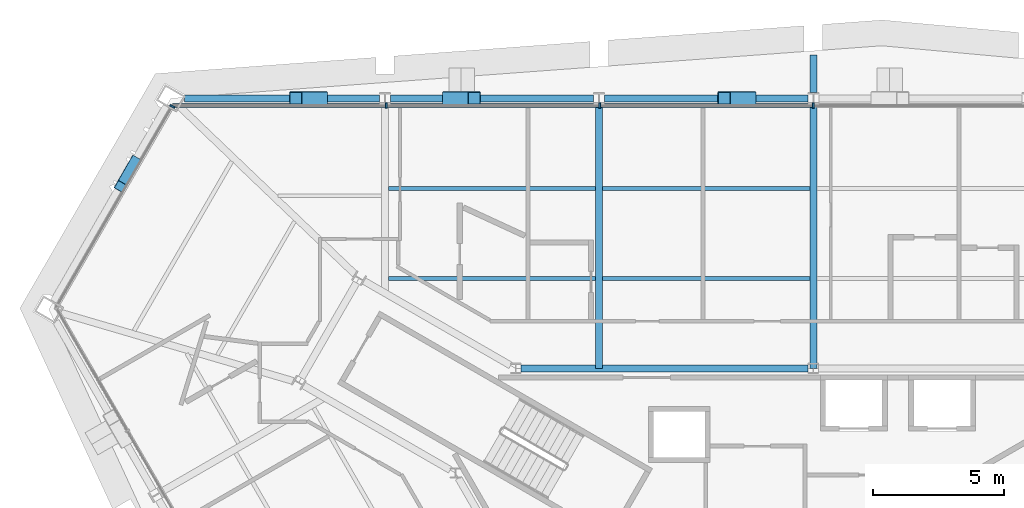
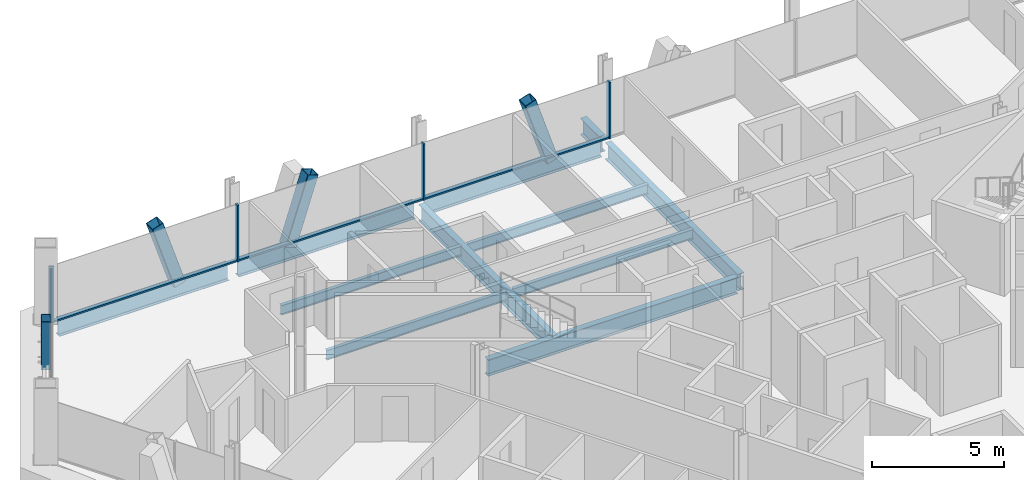
# One storey, part 8 of 19: 11 beams, 11 members, 2 elements without a shape of their own.
"""IFC4 building model written with IfcOpenShell, lengths in metres."""

from ifc_helpers import new_model, si_unit, direction, frame, origin, origin_2d, place, context, subcontext, project, spatial, rectangle, hollow_rectangle, i_section, extrude, material, material_profile, profile_set, type_object, element, aggregate, save


model = new_model("IFC4")

# Units and contexts
model_context = context("Model", 3, precision=1e-05, world=origin(), true_north=direction((0.0, 1.0)))
body_context = subcontext(model_context, "Body", "Model", "MODEL_VIEW")
ifc_project = project(units=[si_unit("LENGTHUNIT", "METRE"), si_unit("AREAUNIT", "SQUARE_METRE"), si_unit("VOLUMEUNIT", "CUBIC_METRE"), si_unit("PLANEANGLEUNIT", "RADIAN"), si_unit("MASSUNIT", "GRAM", prefix="KILO")], contexts=[model_context])

# Site, building, storey
site_placement = place(None, origin())
site = spatial("IfcSite", under=ifc_project, at=site_placement, CompositionType="ELEMENT")
building_placement = place(site_placement, origin())
building = spatial("IfcBuilding", under=site, at=building_placement, Name="Verrane Prism Tower", CompositionType="ELEMENT")
storey_placement = place(building_placement, frame((0.0, 0.0, 125.199951171875)))
storey = spatial("IfcBuildingStorey", under=building, at=storey_placement, Name="L30", CompositionType="ELEMENT", Elevation=125.199951171875)

# Member
ifc_material_1 = material(Name="Steel A500 Grade C", Category="steel")
ifc_material_profile_1 = material_profile(ifc_material_1, hollow_rectangle(XDim=0.355712890625, YDim=0.355712890625, WallThickness=0.0126953125, InnerFilletRadius=0.00634765625, OuterFilletRadius=0.01904296875, at=origin_2d()), Name="HSS14x14x1/2")
ifc_profile_set_1 = profile_set([ifc_material_profile_1], Name="Steel A500 Grade C")
member_type_1 = type_object("IfcMemberType", Name="Chamfer brace HSS14x14x1/2", PredefinedType="BRACE", material=ifc_profile_set_1)
member_1_placement = place(storey_placement, frame((-25.8505859375, 17.09765625, -0.2451171875), z_axis=(-0.172779760726, -0.299408636136, 0.938350479773), x_axis=(0.866130474465, -0.499817968067, 0.0)))
element("IfcMember", 1, at=member_1_placement, inside=storey, type_object=member_type_1, Name="Chamfer brace NW0 L30", PredefinedType="BRACE", context=body_context, shape_type="SweptSolid", body=[
    extrude(hollow_rectangle(XDim=0.355712890625, YDim=0.355712890625, WallThickness=0.0126953125, InnerFilletRadius=0.00634765625, OuterFilletRadius=0.01904296875, at=origin_2d()), origin(), (0.0, 0.0, 1.0), 3.200439453125),
])

# Beam
ifc_material_2 = material(Name="Steel A992", Category="steel")
ifc_material_profile_2 = material_profile(ifc_material_2, i_section(OverallWidth=0.2666015625, OverallDepth=0.7568359375, WebThickness=0.013916015625, FlangeThickness=0.019287109375, FilletRadius=0.0166015625, at=origin_2d()), Name="W30x108")
ifc_profile_set_2 = profile_set([ifc_material_profile_2], Name="Steel A992")
beam_type_1 = type_object("IfcBeamType", Name="Core ring girder W30x108", PredefinedType="BEAM", material=ifc_profile_set_2)
beam_1_placement = place(storey_placement, frame((-0.20068359375, 9.199951171875, -0.62841796875), z_axis=(-1.0, 0.0, 0.0), x_axis=(0.0, -1.0, 0.0)))
element("IfcBeam", 2, at=beam_1_placement, inside=storey, type_object=beam_type_1, Name="Core ring girder L30", PredefinedType="BEAM", context=body_context, shape_type="SweptSolid", body=[
    extrude(i_section(OverallWidth=0.2666015625, OverallDepth=0.7568359375, WebThickness=0.013916015625, FlangeThickness=0.019287109375, FilletRadius=0.0166015625, at=origin_2d()), origin(), (0.0, 0.0, 1.0), 10.9287109375),
])

# Members
ifc_material_3 = material(Name="Steel A1085 Grade A", Category="steel")
ifc_material_profile_3 = material_profile(ifc_material_3, hollow_rectangle(XDim=0.508056640625, YDim=0.508056640625, WallThickness=0.025390625, InnerFilletRadius=0.0126953125, OuterFilletRadius=0.0380859375, at=origin_2d()), Name="HSS20x20x1")
ifc_profile_set_3 = profile_set([ifc_material_profile_3], Name="Steel A1085 Grade A")
member_type_2 = type_object("IfcMemberType", Name="Facade brace HSS20x20x1", PredefinedType="BRACE", material=ifc_profile_set_3)
member_2_placement = place(storey_placement, frame((-2.42724609375, 19.489990234375, -0.242431640625), z_axis=(-0.308085475007, 0.0, 0.951358681092), x_axis=(0.0, -1.0, 0.0)))
element("IfcMember", 3, at=member_2_placement, inside=storey, type_object=member_type_2, Name="Facade brace N3 L30", PredefinedType="BRACE", context=body_context, shape_type="SweptSolid", body=[
    extrude(hollow_rectangle(XDim=0.508056640625, YDim=0.508056640625, WallThickness=0.025390625, InnerFilletRadius=0.0126953125, OuterFilletRadius=0.0380859375, at=origin_2d()), origin(), (0.0, 0.0, 1.0), 3.161865234375),
])
member_3_placement = place(storey_placement, frame((-13.8857421875, 19.489990234375, -0.242431640625), z_axis=(0.307735985321, 0.0, 0.951471787989), x_axis=(0.0, 1.0, 0.0)))
element("IfcMember", 4, at=member_3_placement, inside=storey, type_object=member_type_2, Name="Facade brace N4 L30", PredefinedType="BRACE", context=body_context, shape_type="SweptSolid", body=[
    extrude(hollow_rectangle(XDim=0.508056640625, YDim=0.508056640625, WallThickness=0.025390625, InnerFilletRadius=0.0126953125, OuterFilletRadius=0.0380859375, at=origin_2d()), origin(), (0.0, 0.0, 1.0), 3.161376953125),
])
member_4_placement = place(storey_placement, frame((-18.7373046875, 19.489990234375, -0.242431640625), z_axis=(-0.308015587042, 0.0, 0.95138131059), x_axis=(0.0, -1.0, 0.0)))
element("IfcMember", 5, at=member_4_placement, inside=storey, type_object=member_type_2, Name="Facade brace N5 L30", PredefinedType="BRACE", context=body_context, shape_type="SweptSolid", body=[
    extrude(hollow_rectangle(XDim=0.508056640625, YDim=0.508056640625, WallThickness=0.025390625, InnerFilletRadius=0.0126953125, OuterFilletRadius=0.0380859375, at=origin_2d()), origin(), (0.0, 0.0, 1.0), 3.161865234375),
])

# Beams
ifc_material_4 = material(Name="Steel A992", Category="steel")
ifc_material_profile_4 = material_profile(ifc_material_4, i_section(OverallWidth=0.15234375, OverallDepth=0.449462890625, WebThickness=0.007568359375, FlangeThickness=0.0107421875, FilletRadius=0.01025390625, at=origin_2d()), Name="W18x35")
ifc_profile_set_4 = profile_set([ifc_material_profile_4], Name="Steel A992")
beam_type_2 = type_object("IfcBeamType", Name="Floor beam W18x35", PredefinedType="BEAM", material=ifc_profile_set_4)
for number, where, z_axis, x_axis, name in (
    (6, (-8.026611328125, 12.6298828125, -0.384765625), (1.0, 0.0, 0.0), (0.0, 1.0, 0.0), "Floor beam L30"),
    (7, (-8.026611328125, 16.06005859375, -0.384765625), (1.0, 0.0, 0.0), (0.0, 1.0, 0.0), "Floor beam L30"),
):
    element("IfcBeam", number, at=place(storey_placement, frame(where, z_axis=z_axis, x_axis=x_axis)), inside=storey, type_object=beam_type_2, Name=name, PredefinedType="BEAM", context=body_context, shape_type="SweptSolid", body=[
        extrude(i_section(OverallWidth=0.15234375, OverallDepth=0.449462890625, WebThickness=0.007568359375, FlangeThickness=0.0107421875, FilletRadius=0.01025390625, at=origin_2d()), origin(), (0.0, 0.0, 1.0), 7.89306640625),
    ])
for number, where, z_axis, x_axis, name in (
    (8, (-16.176513671875, 12.6298828125, -0.384765625), (1.0, 0.0, 0.0), (0.0, 1.0, 0.0), "Floor beam L30"),
    (9, (-16.176513671875, 16.06005859375, -0.384765625), (1.0, 0.0, 0.0), (0.0, 1.0, 0.0), "Floor beam L30"),
):
    element("IfcBeam", number, at=place(storey_placement, frame(where, z_axis=z_axis, x_axis=x_axis)), inside=storey, type_object=beam_type_2, Name=name, PredefinedType="BEAM", context=body_context, shape_type="SweptSolid", body=[
        extrude(i_section(OverallWidth=0.15234375, OverallDepth=0.449462890625, WebThickness=0.007568359375, FlangeThickness=0.0107421875, FilletRadius=0.01025390625, at=origin_2d()), origin(), (0.0, 0.0, 1.0), 7.883056640625),
    ])

# Curtain wall, members
ifc_material_5 = material(Name="Aluminium framed insulated glazing", Category="aluminium")
curtain_wall_type = type_object("IfcCurtainWallType", Name="Curtain wall CW-A 8400 module", PredefinedType="NOTDEFINED", material=ifc_material_5)
curtain_wall_1_placement = place(storey_placement, origin())
curtain_wall_1 = element("IfcCurtainWall", 10, at=curtain_wall_1_placement, inside=storey, type_object=curtain_wall_type, Name="Glazed curtain wall north face L30", PredefinedType="NOTDEFINED")
ifc_material_6 = material(Name="Aluminium alloy 6063-T6", Category="aluminium")
ifc_material_profile_5 = material_profile(ifc_material_6, rectangle(XDim=0.199951171875, YDim=0.070068359375, at=origin_2d()), Name="Mullion 70x200 aluminium")
ifc_profile_set_5 = profile_set([ifc_material_profile_5], Name="Aluminium alloy 6063-T6")
member_type_3 = type_object("IfcMemberType", Name="Mullion 70x200 aluminium", PredefinedType="MULLION", material=ifc_profile_set_5)
member_5_placement = place(storey_placement, frame((0.0, 19.2109375, 0.0), z_axis=(0.0, 0.0, 1.0), x_axis=(0.0, -1.0, 0.0)))
member_5 = element("IfcMember", 11, at=member_5_placement, type_object=member_type_3, Name="CW29.2 mullion 4", PredefinedType="MULLION", context=body_context, shape_type="SweptSolid", body=[
    extrude(rectangle(XDim=0.199951171875, YDim=0.070068359375, at=origin_2d()), origin(), (0.0, 0.0, 1.0), 2.613037109375),
])
member_6_placement = place(storey_placement, frame((-8.1328125, 19.2109375, 0.0), z_axis=(0.0, 0.0, 1.0), x_axis=(0.0, -1.0, 0.0)))
member_6 = element("IfcMember", 12, at=member_6_placement, type_object=member_type_3, Name="CW29.2 mullion 5", PredefinedType="MULLION", context=body_context, shape_type="SweptSolid", body=[
    extrude(rectangle(XDim=0.199951171875, YDim=0.070068359375, at=origin_2d()), origin(), (0.0, 0.0, 1.0), 2.613037109375),
])
member_7_placement = place(storey_placement, frame((-16.265625, 19.2109375, 0.0), z_axis=(0.0, 0.0, 1.0), x_axis=(0.0, -1.0, 0.0)))
member_7 = element("IfcMember", 13, at=member_7_placement, type_object=member_type_3, Name="CW29.2 mullion 6", PredefinedType="MULLION", context=body_context, shape_type="SweptSolid", body=[
    extrude(rectangle(XDim=0.199951171875, YDim=0.070068359375, at=origin_2d()), origin(), (0.0, 0.0, 1.0), 2.613037109375),
])

# Curtain wall, member
curtain_wall_2_placement = place(storey_placement, origin())
curtain_wall_2 = element("IfcCurtainWall", 14, at=curtain_wall_2_placement, inside=storey, type_object=curtain_wall_type, Name="Glazed curtain wall north-west corner L30", PredefinedType="NOTDEFINED")
member_8_placement = place(storey_placement, frame((-24.416015625, 19.1806640625, 0.0), z_axis=(0.0, 0.0, 1.0), x_axis=(0.866026297252, -0.499998452466, 0.0)))
member_8 = element("IfcMember", 15, at=member_8_placement, type_object=member_type_3, Name="CW29.3 mullion 1", PredefinedType="MULLION", context=body_context, shape_type="SweptSolid", body=[
    extrude(rectangle(XDim=0.199951171875, YDim=0.070068359375, at=origin_2d()), origin(), (0.0, 0.0, 1.0), 2.613037109375),
])
aggregate(curtain_wall_2, [member_8])

# Beams
ifc_material_7 = material(Name="Steel A992", Category="steel")
ifc_material_profile_6 = material_profile(ifc_material_7, i_section(OverallWidth=0.2666015625, OverallDepth=0.76708984375, WebThickness=0.014892578125, FlangeThickness=0.023681640625, FilletRadius=0.0166015625, at=origin_2d()), Name="W30x124")
ifc_profile_set_6 = profile_set([ifc_material_profile_6], Name="Steel A992")
beam_type_3 = type_object("IfcBeamType", Name="Radial girder W30x124", PredefinedType="BEAM", material=ifc_profile_set_6)
for number, where, z_axis, x_axis, name in (
    (16, (0.0, 19.2626953125, -0.603515625), (0.0, -1.0, 0.0), (1.0, 0.0, 0.0), "Radial girder L30"),
    (17, (-8.159912109375, 19.2626953125, -0.603515625), (0.0, -1.0, 0.0), (1.0, 0.0, 0.0), "Radial girder L30"),
):
    element("IfcBeam", number, at=place(storey_placement, frame(where, z_axis=z_axis, x_axis=x_axis)), inside=storey, type_object=beam_type_3, Name=name, PredefinedType="BEAM", context=body_context, shape_type="SweptSolid", body=[
        extrude(i_section(OverallWidth=0.2666015625, OverallDepth=0.76708984375, WebThickness=0.014892578125, FlangeThickness=0.023681640625, FilletRadius=0.0166015625, at=origin_2d()), origin(), (0.0, 0.0, 1.0), 10.062744140625),
    ])
beam_2_placement = place(storey_placement, frame((0.0, 19.71337890625, -0.603515625), z_axis=(0.0, 1.0, 0.0), x_axis=(-1.0, 0.0, 0.0)))
element("IfcBeam", 18, at=beam_2_placement, inside=storey, type_object=beam_type_3, Name="Cantilever girder L30", PredefinedType="BEAM", context=body_context, shape_type="SweptSolid", body=[
    extrude(i_section(OverallWidth=0.2666015625, OverallDepth=0.76708984375, WebThickness=0.014892578125, FlangeThickness=0.023681640625, FilletRadius=0.0166015625, at=origin_2d()), origin(), (0.0, 0.0, 1.0), 1.430419921875),
])
ifc_material_8 = material(Name="Steel A992", Category="steel")
ifc_material_profile_7 = material_profile(ifc_material_8, i_section(OverallWidth=0.2666015625, OverallDepth=0.7568359375, WebThickness=0.013916015625, FlangeThickness=0.019287109375, FilletRadius=0.0166015625, at=origin_2d()), Name="W30x108")
ifc_profile_set_7 = profile_set([ifc_material_profile_7], Name="Steel A992")
beam_type_4 = type_object("IfcBeamType", Name="Spandrel beam W30x108", PredefinedType="SPANDREL", material=ifc_profile_set_7)
beam_3_placement = place(storey_placement, frame((-0.20947265625, 19.489990234375, -0.538330078125), z_axis=(-1.0, 0.0, 0.0), x_axis=(0.0, -1.0, 0.0)))
element("IfcBeam", 19, at=beam_3_placement, inside=storey, type_object=beam_type_4, Name="Spandrel beam L30", PredefinedType="SPANDREL", context=body_context, shape_type="SweptSolid", body=[
    extrude(i_section(OverallWidth=0.2666015625, OverallDepth=0.7568359375, WebThickness=0.013916015625, FlangeThickness=0.019287109375, FilletRadius=0.0166015625, at=origin_2d()), origin(), (0.0, 0.0, 1.0), 7.740966796875),
])
beam_4_placement = place(storey_placement, frame((-8.36962890625, 19.489990234375, -0.538330078125), z_axis=(-1.0, 0.0, 0.0), x_axis=(0.0, -1.0, 0.0)))
element("IfcBeam", 20, at=beam_4_placement, inside=storey, type_object=beam_type_4, Name="Spandrel beam L30", PredefinedType="SPANDREL", context=body_context, shape_type="SweptSolid", body=[
    extrude(i_section(OverallWidth=0.2666015625, OverallDepth=0.7568359375, WebThickness=0.013916015625, FlangeThickness=0.019287109375, FilletRadius=0.0166015625, at=origin_2d()), origin(), (0.0, 0.0, 1.0), 7.730712890625),
])
beam_5_placement = place(storey_placement, frame((-16.51953125, 19.489990234375, -0.538330078125), z_axis=(-1.0, 0.0, 0.0), x_axis=(0.0, -1.0, 0.0)))
element("IfcBeam", 21, at=beam_5_placement, inside=storey, type_object=beam_type_4, Name="Spandrel beam L30", PredefinedType="SPANDREL", context=body_context, shape_type="SweptSolid", body=[
    extrude(i_section(OverallWidth=0.2666015625, OverallDepth=0.7568359375, WebThickness=0.013916015625, FlangeThickness=0.019287109375, FilletRadius=0.0166015625, at=origin_2d()), origin(), (0.0, 0.0, 1.0), 7.430908203125),
])

# Member
ifc_material_9 = material(Name="Aluminium alloy 6063-T6", Category="aluminium")
ifc_material_profile_8 = material_profile(ifc_material_9, rectangle(XDim=0.14990234375, YDim=0.070068359375, at=origin_2d()), Name="Transom 70x150 aluminium")
ifc_profile_set_8 = profile_set([ifc_material_profile_8], Name="Aluminium alloy 6063-T6")
member_type_4 = type_object("IfcMemberType", Name="Transom 70x150 aluminium", PredefinedType="USERDEFINED", material=ifc_profile_set_8)
member_9_placement = place(storey_placement, frame((-0.034912109375, 19.2109375, 0.03515625), z_axis=(-1.0, 0.0, 0.0), x_axis=(0.0, -1.0, 0.0)))
member_9 = element("IfcMember", 22, at=member_9_placement, type_object=member_type_4, Name="CW29.2 transom 4", ObjectType="TRANSOM", PredefinedType="USERDEFINED", context=body_context, shape_type="SweptSolid", body=[
    extrude(rectangle(XDim=0.14990234375, YDim=0.070068359375, at=origin_2d()), origin(), (0.0, 0.0, 1.0), 8.06298828125),
])

member_10_placement = place(storey_placement, frame((-8.16796875, 19.2109375, 0.03515625), z_axis=(-1.0, 0.0, 0.0), x_axis=(0.0, -1.0, 0.0)))
member_10 = element("IfcMember", 23, at=member_10_placement, type_object=member_type_4, Name="CW29.2 transom 5", ObjectType="TRANSOM", PredefinedType="USERDEFINED", context=body_context, shape_type="SweptSolid", body=[
    extrude(rectangle(XDim=0.14990234375, YDim=0.070068359375, at=origin_2d()), origin(), (0.0, 0.0, 1.0), 8.062744140625),
])

member_11_placement = place(storey_placement, frame((-16.30078125, 19.2109375, 0.03515625), z_axis=(-1.0, 0.0, 0.0), x_axis=(0.0, -1.0, 0.0)))
member_11 = element("IfcMember", 24, at=member_11_placement, type_object=member_type_4, Name="CW29.2 transom 6", ObjectType="TRANSOM", PredefinedType="USERDEFINED", context=body_context, shape_type="SweptSolid", body=[
    extrude(rectangle(XDim=0.14990234375, YDim=0.070068359375, at=origin_2d()), origin(), (0.0, 0.0, 1.0), 8.097900390625),
])

aggregate(curtain_wall_1, [member_5, member_6, member_7, member_9, member_10, member_11])

save(model, "model.ifc")
